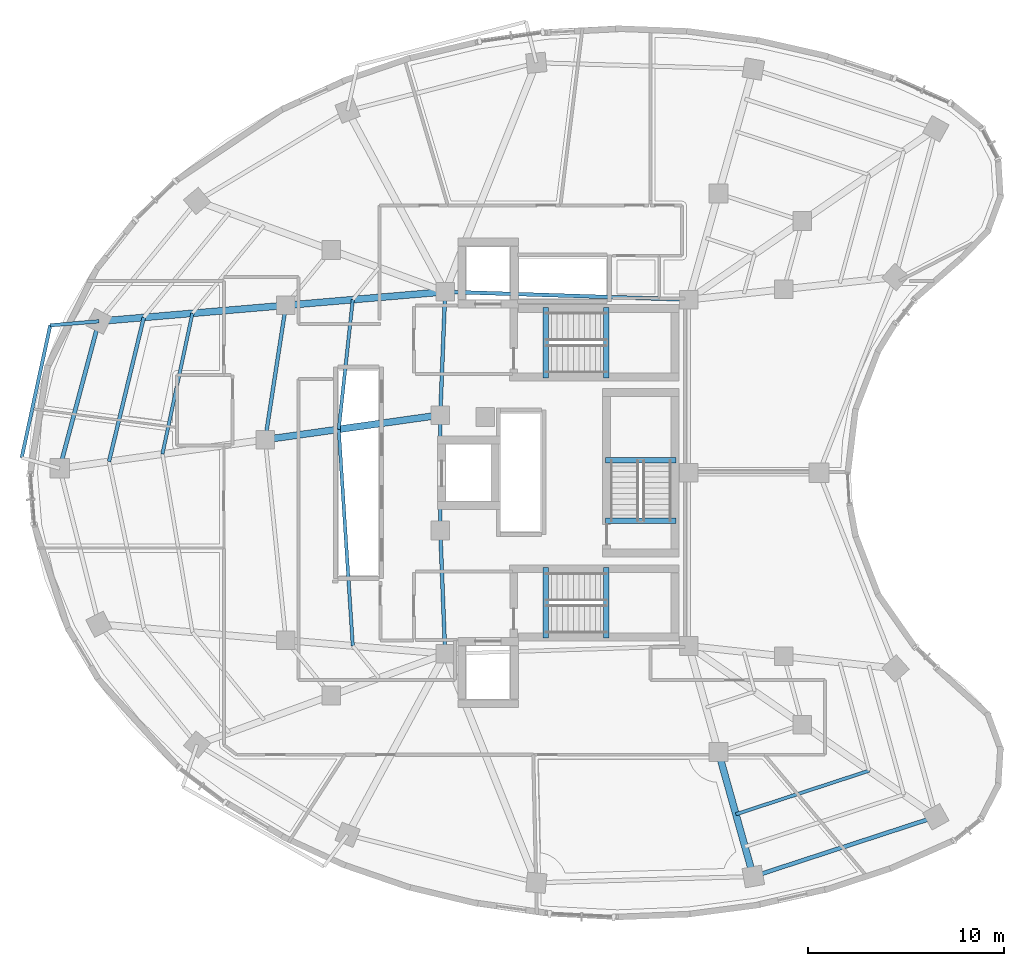
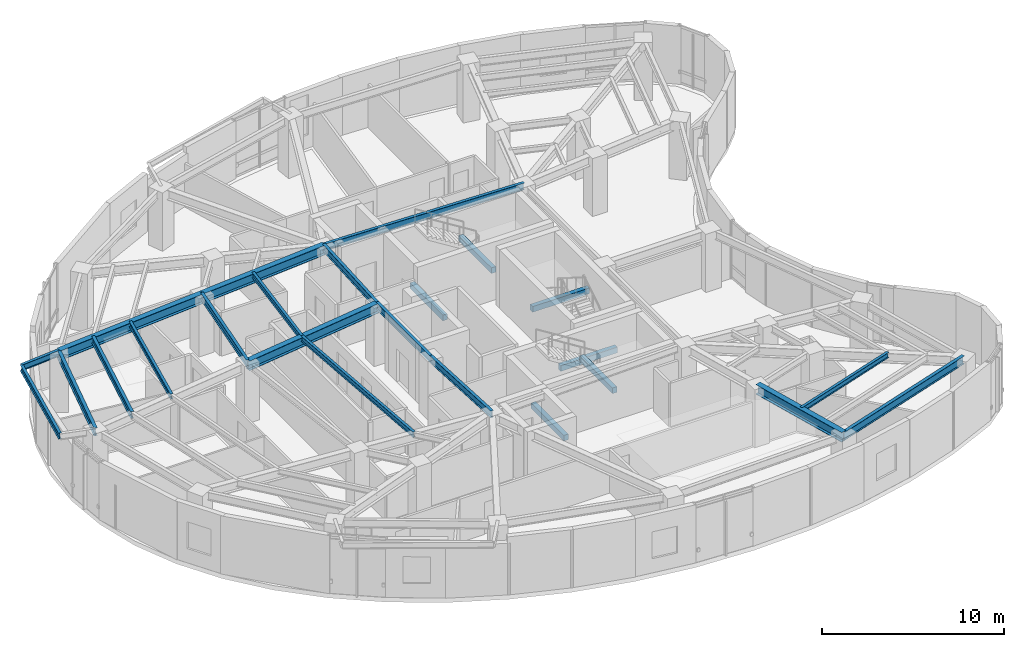
# One storey, part 3 of 15: 24 beams.
"""IFC4 building model written with IfcOpenShell, lengths in metres."""

from ifc_helpers import new_model, si_unit, direction, frame, origin, origin_2d, place, context, subcontext, project, spatial, rectangle, i_section, extrude, material, material_profile, profile_set, type_object, element, save


model = new_model("IFC4")

# Units and contexts
model_context = context("Model", 3, precision=1e-05, world=origin(), true_north=direction((0.0, 1.0)))
body_context = subcontext(model_context, "Body", "Model", "MODEL_VIEW")
ifc_project = project(units=[si_unit("LENGTHUNIT", "METRE"), si_unit("AREAUNIT", "SQUARE_METRE"), si_unit("VOLUMEUNIT", "CUBIC_METRE"), si_unit("PLANEANGLEUNIT", "RADIAN"), si_unit("MASSUNIT", "GRAM", prefix="KILO")], contexts=[model_context])

# Site, building, storey
site_placement = place(None, origin())
site = spatial("IfcSite", under=ifc_project, at=site_placement, CompositionType="ELEMENT")
building_placement = place(site_placement, origin())
building = spatial("IfcBuilding", under=site, at=building_placement, Name="Korentha Bioscience Tower", CompositionType="ELEMENT")
storey_placement = place(building_placement, frame((0.0, 0.0, 218.39990234375)))
storey = spatial("IfcBuildingStorey", under=building, at=storey_placement, Name="L50", CompositionType="ELEMENT", Elevation=218.39990234375)

# Beams
ifc_material_1 = material(Name="Concrete C50", Category="concrete")
ifc_material_profile_1 = material_profile(ifc_material_1, rectangle(XDim=0.280029296875, YDim=0.3798828125, at=origin_2d()), Name="Concrete C50")
ifc_profile_set_1 = profile_set([ifc_material_profile_1], Name="Concrete C50 (ST-HB380)")
beam_type_1 = type_object("IfcBeamType", Name="Concrete Stair Header Beam RC 280x380", PredefinedType="BEAM", material=ifc_profile_set_1)
for number, where, z_axis, x_axis, name in (
    (1, (30.25, 31.85009765625, -0.18994140625), (0.0, 1.0, 0.0), (-1.0, 0.0, 0.0), "L50 ST-1 Concrete Stair Header Beam"),
    (2, (33.330078125, 31.85009765625, 1.91015625), (0.0, 1.0, 0.0), (-1.0, 0.0, 0.0), "L50 ST-1 Half-Landing Header Beam 1"),
    (3, (30.25, 18.550048828125, -0.18994140625), (0.0, 1.0, 0.0), (-1.0, 0.0, 0.0), "L50 ST-2 Concrete Stair Header Beam"),
    (4, (33.330078125, 18.550048828125, 1.91015625), (0.0, 1.0, 0.0), (-1.0, 0.0, 0.0), "L50 ST-2 Half-Landing Header Beam 1"),
    (5, (36.89990234375, 24.550048828125, -0.18994140625), (-1.0, 0.0, 0.0), (0.0, -1.0, 0.0), "L50 ST-3 Concrete Stair Header Beam"),
    (6, (36.89990234375, 27.6298828125, 1.91015625), (-1.0, 0.0, 0.0), (0.0, -1.0, 0.0), "L50 ST-3 Half-Landing Header Beam 1"),
):
    element("IfcBeam", number, at=place(storey_placement, frame(where, z_axis=z_axis, x_axis=x_axis)), inside=storey, type_object=beam_type_1, Name=name, PredefinedType="BEAM", context=body_context, shape_type="SweptSolid", body=[
        extrude(rectangle(XDim=0.280029296875, YDim=0.3798828125, at=origin_2d()), origin(), (0.0, 0.0, 1.0), 3.599853515625),
    ])
ifc_material_2 = material(Name="Steel S355", Category="steel")
ifc_material_profile_2 = material_profile(ifc_material_2, i_section(OverallWidth=0.18994140625, OverallDepth=0.45703125, WebThickness=0.009033203125, FlangeThickness=0.014404296875, at=origin_2d()), Name="Steel S355")
ifc_profile_set_2 = profile_set([ifc_material_profile_2], Name="Steel S355 (MB-460)")
beam_type_2 = type_object("IfcBeamType", Name="Mid-Ring Tie Girder W460x74", PredefinedType="BEAM", material=ifc_profile_set_2)
beam_1_placement = place(storey_placement, frame((16.96044921875, 35.555908203125, 3.671630859375), z_axis=(-0.152313520838, -0.988332227224, 0.0), x_axis=(0.988332227224, -0.152313520838, 0.0)))
element("IfcBeam", 7, at=beam_1_placement, inside=storey, type_object=beam_type_2, Name="L50 Mid-Ring Tie Girder 06", PredefinedType="BEAM", context=body_context, shape_type="SweptSolid", body=[
    extrude(i_section(OverallWidth=0.18994140625, OverallDepth=0.45703125, WebThickness=0.009033203125, FlangeThickness=0.014404296875, at=origin_2d()), origin(), (0.0, 0.0, 1.0), 6.942138671875),
])
beam_2_placement = place(storey_placement, frame((37.550048828125, 35.85009765625, 3.671630859375), z_axis=(-0.999484526071, 0.032104238723, 0.0), x_axis=(-0.032104238723, -0.999484526071, 0.0)))
element("IfcBeam", 8, at=beam_2_placement, inside=storey, type_object=beam_type_2, Name="L50 Core Ring Tie Girder 01", PredefinedType="BEAM", context=body_context, shape_type="SweptSolid", body=[
    extrude(i_section(OverallWidth=0.18994140625, OverallDepth=0.45703125, WebThickness=0.009033203125, FlangeThickness=0.014404296875, at=origin_2d()), origin(), (0.0, 0.0, 1.0), 12.456298828125),
])
beam_3_placement = place(storey_placement, frame((25.10009765625, 36.25, 3.671630859375), z_axis=(-0.039651025576, -0.999213588864, 0.0), x_axis=(0.999213588864, -0.039651025576, 0.0)))
element("IfcBeam", 9, at=beam_3_placement, inside=storey, type_object=beam_type_2, Name="L50 Core Ring Tie Girder 02", PredefinedType="BEAM", context=body_context, shape_type="SweptSolid", body=[
    extrude(i_section(OverallWidth=0.18994140625, OverallDepth=0.45703125, WebThickness=0.009033203125, FlangeThickness=0.014404296875, at=origin_2d()), origin(), (0.0, 0.0, 1.0), 6.304931640625),
])
beam_4_placement = place(storey_placement, frame((24.85009765625, 29.949951171875, 3.671630859375), z_axis=(0.0, -1.0, 0.0), x_axis=(1.0, 0.0, 0.0)))
element("IfcBeam", 10, at=beam_4_placement, inside=storey, type_object=beam_type_2, Name="L50 Core Ring Tie Girder 03", PredefinedType="BEAM", context=body_context, shape_type="SweptSolid", body=[
    extrude(i_section(OverallWidth=0.18994140625, OverallDepth=0.45703125, WebThickness=0.009033203125, FlangeThickness=0.014404296875, at=origin_2d()), origin(), (0.0, 0.0, 1.0), 5.89990234375),
])
beam_5_placement = place(storey_placement, frame((24.85009765625, 24.050048828125, 3.671630859375), z_axis=(0.039651025576, -0.999213588864, 0.0), x_axis=(0.999213588864, 0.039651025576, 0.0)))
element("IfcBeam", 11, at=beam_5_placement, inside=storey, type_object=beam_type_2, Name="L50 Core Ring Tie Girder 04", PredefinedType="BEAM", context=body_context, shape_type="SweptSolid", body=[
    extrude(i_section(OverallWidth=0.18994140625, OverallDepth=0.45703125, WebThickness=0.009033203125, FlangeThickness=0.014404296875, at=origin_2d()), origin(), (0.0, 0.0, 1.0), 6.304931640625),
])
ifc_material_profile_3 = material_profile(ifc_material_2, i_section(OverallWidth=0.208984375, OverallDepth=0.532958984375, WebThickness=0.01025390625, FlangeThickness=0.015625, at=origin_2d()), Name="Steel S355")
ifc_profile_set_3 = profile_set([ifc_material_profile_3], Name="Steel S355 (SB-530)")
beam_type_3 = type_object("IfcBeamType", Name="Perimeter Ring Spandrel Girder W530x92", PredefinedType="SPANDREL", material=ifc_profile_set_3)
beam_6_placement = place(storey_placement, frame((7.4052734375, 34.741455078125, 3.633544921875), z_axis=(-0.257674365533, -0.966231815532, 0.0), x_axis=(0.966231815532, -0.257674365533, 0.0)))
element("IfcBeam", 12, at=beam_6_placement, inside=storey, type_object=beam_type_3, Name="L50 Perimeter Spandrel Girder 06", PredefinedType="SPANDREL", context=body_context, shape_type="SweptSolid", body=[
    extrude(i_section(OverallWidth=0.208984375, OverallDepth=0.532958984375, WebThickness=0.01025390625, FlangeThickness=0.015625, at=origin_2d()), origin(), (0.0, 0.0, 1.0), 7.782470703125),
])
beam_7_placement = place(storey_placement, frame((40.846923828125, 6.367919921875, 3.633544921875), z_axis=(0.950449256032, 0.310879738338, 0.0), x_axis=(-0.310879738338, 0.950449256032, 0.0)))
element("IfcBeam", 13, at=beam_7_placement, inside=storey, type_object=beam_type_3, Name="L50 Perimeter Spandrel Girder 12", PredefinedType="SPANDREL", context=body_context, shape_type="SweptSolid", body=[
    extrude(i_section(OverallWidth=0.208984375, OverallDepth=0.532958984375, WebThickness=0.01025390625, FlangeThickness=0.015625, at=origin_2d()), origin(), (0.0, 0.0, 1.0), 9.81494140625),
])
ifc_material_profile_4 = material_profile(ifc_material_2, i_section(OverallWidth=0.18994140625, OverallDepth=0.45703125, WebThickness=0.009033203125, FlangeThickness=0.014404296875, at=origin_2d()), Name="Steel S355")
ifc_profile_set_4 = profile_set([ifc_material_profile_4], Name="Steel S355 (RB-460)")
beam_type_4 = type_object("IfcBeamType", Name="Radial Laboratory Beam W460x74", PredefinedType="BEAM", material=ifc_profile_set_4)
beam_8_placement = place(storey_placement, frame((9.698486328125, 34.93701171875, 3.671630859375), z_axis=(-0.234745571737, -0.972056848415, 0.0), x_axis=(0.972056848415, -0.234745571737, 0.0)))
element("IfcBeam", 14, at=beam_8_placement, inside=storey, type_object=beam_type_4, Name="L50 Secondary Floor Beam JSTO-06", PredefinedType="BEAM", context=body_context, shape_type="SweptSolid", body=[
    extrude(i_section(OverallWidth=0.18994140625, OverallDepth=0.45703125, WebThickness=0.009033203125, FlangeThickness=0.014404296875, at=origin_2d()), origin(), (0.0, 0.0, 1.0), 7.573486328125),
])
ifc_material_profile_5 = material_profile(ifc_material_2, i_section(OverallWidth=0.35009765625, OverallDepth=0.64990234375, WebThickness=0.01611328125, FlangeThickness=0.02490234375, at=origin_2d()), Name="Steel S355")
ifc_profile_set_5 = profile_set([ifc_material_profile_5], Name="Steel S355 (RB-650)")
beam_type_5 = type_object("IfcBeamType", Name="Radial Laboratory Girder CVS 650x208", PredefinedType="BEAM", material=ifc_profile_set_5)
beam_9_placement = place(storey_placement, frame((25.10009765625, 36.25, 3.5751953125), z_axis=(-0.996383970884, -0.084964595957, 0.0), x_axis=(0.084964595957, -0.996383970884, 0.0)))
element("IfcBeam", 15, at=beam_9_placement, inside=storey, type_object=beam_type_5, Name="L50 Inner Radial Girder 06", PredefinedType="BEAM", context=body_context, shape_type="SweptSolid", body=[
    extrude(i_section(OverallWidth=0.35009765625, OverallDepth=0.64990234375, WebThickness=0.01611328125, FlangeThickness=0.02490234375, at=origin_2d()), origin(), (0.0, 0.0, 1.0), 8.169189453125),
])
beam_10_placement = place(storey_placement, frame((16.96044921875, 35.555908203125, 3.5751953125), z_axis=(-0.996387014591, -0.084928894698, 0.0), x_axis=(0.084928894698, -0.996387014591, 0.0)))
element("IfcBeam", 16, at=beam_10_placement, inside=storey, type_object=beam_type_5, Name="L50 Outer Radial Girder 06", PredefinedType="BEAM", context=body_context, shape_type="SweptSolid", body=[
    extrude(i_section(OverallWidth=0.35009765625, OverallDepth=0.64990234375, WebThickness=0.01611328125, FlangeThickness=0.02490234375, at=origin_2d()), origin(), (0.0, 0.0, 1.0), 9.58984375),
])
beam_11_placement = place(storey_placement, frame((24.85009765625, 29.949951171875, 3.5751953125), z_axis=(-0.990303045163, -0.138924003471, 0.0), x_axis=(0.138924003471, -0.990303045163, 0.0)))
element("IfcBeam", 17, at=beam_11_placement, inside=storey, type_object=beam_type_5, Name="L50 Inner Radial Girder 07", PredefinedType="BEAM", context=body_context, shape_type="SweptSolid", body=[
    extrude(i_section(OverallWidth=0.35009765625, OverallDepth=0.64990234375, WebThickness=0.01611328125, FlangeThickness=0.02490234375, at=origin_2d()), origin(), (0.0, 0.0, 1.0), 9.03466796875),
])
beam_12_placement = place(storey_placement, frame((39.066650390625, 12.730224609375, 3.5751953125), z_axis=(0.269465439817, -0.963010060562, 0.0), x_axis=(0.963010060562, 0.269465439817, 0.0)))
element("IfcBeam", 18, at=beam_12_placement, inside=storey, type_object=beam_type_5, Name="L50 Outer Radial Girder 12", PredefinedType="BEAM", context=body_context, shape_type="SweptSolid", body=[
    extrude(i_section(OverallWidth=0.35009765625, OverallDepth=0.64990234375, WebThickness=0.01611328125, FlangeThickness=0.02490234375, at=origin_2d()), origin(), (0.0, 0.0, 1.0), 6.606689453125),
])
ifc_material_profile_6 = material_profile(ifc_material_2, i_section(OverallWidth=0.1708984375, OverallDepth=0.35498046875, WebThickness=0.007080078125, FlangeThickness=0.01171875, at=origin_2d()), Name="Steel S355")
ifc_profile_set_6 = profile_set([ifc_material_profile_6], Name="Steel S355 (JB-360)")
beam_type_6 = type_object("IfcBeamType", Name="Secondary Laboratory Joist W360x51", PredefinedType="JOIST", material=ifc_profile_set_6)
beam_13_placement = place(storey_placement, frame((12.182861328125, 35.148681640625, 3.72265625), z_axis=(-0.208286097384, -0.978067943262, 0.0), x_axis=(0.978067943262, -0.208286097384, 0.0)))
element("IfcBeam", 19, at=beam_13_placement, inside=storey, type_object=beam_type_6, Name="L50 Secondary Floor Beam JST-06", PredefinedType="JOIST", context=body_context, shape_type="SweptSolid", body=[
    extrude(i_section(OverallWidth=0.1708984375, OverallDepth=0.35498046875, WebThickness=0.007080078125, FlangeThickness=0.01171875, at=origin_2d()), origin(), (0.0, 0.0, 1.0), 7.3515625),
])
beam_14_placement = place(storey_placement, frame((20.37890625, 35.847412109375, 3.72265625), z_axis=(-0.107777397045, -0.99417505133, 0.0), x_axis=(0.99417505133, -0.107777397045, 0.0)))
element("IfcBeam", 20, at=beam_14_placement, inside=storey, type_object=beam_type_6, Name="L50 Inner Bay Joist 06", PredefinedType="JOIST", context=body_context, shape_type="SweptSolid", body=[
    extrude(i_section(OverallWidth=0.1708984375, OverallDepth=0.35498046875, WebThickness=0.007080078125, FlangeThickness=0.01171875, at=origin_2d()), origin(), (0.0, 0.0, 1.0), 6.664306640625),
])
beam_15_placement = place(storey_placement, frame((19.66064453125, 29.221923828125, 3.72265625), z_axis=(0.064751345522, -0.997901429628, 0.0), x_axis=(0.997901429628, 0.064751345522, 0.0)))
element("IfcBeam", 21, at=beam_15_placement, inside=storey, type_object=beam_type_6, Name="L50 Inner Bay Joist 07", PredefinedType="JOIST", context=body_context, shape_type="SweptSolid", body=[
    extrude(i_section(OverallWidth=0.1708984375, OverallDepth=0.35498046875, WebThickness=0.007080078125, FlangeThickness=0.01171875, at=origin_2d()), origin(), (0.0, 0.0, 1.0), 11.092529296875),
])
beam_16_placement = place(storey_placement, frame((39.956787109375, 9.54931640625, 3.72265625), z_axis=(0.950453704863, 0.310866136646, 0.0), x_axis=(-0.310866136646, 0.950453704863, 0.0)))
element("IfcBeam", 22, at=beam_16_placement, inside=storey, type_object=beam_type_6, Name="L50 Secondary Floor Beam JST-12", PredefinedType="JOIST", context=body_context, shape_type="SweptSolid", body=[
    extrude(i_section(OverallWidth=0.1708984375, OverallDepth=0.35498046875, WebThickness=0.007080078125, FlangeThickness=0.01171875, at=origin_2d()), origin(), (0.0, 0.0, 1.0), 7.164794921875),
])
ifc_material_profile_7 = material_profile(ifc_material_2, i_section(OverallWidth=0.177978515625, OverallDepth=0.406982421875, WebThickness=0.0078125, FlangeThickness=0.0126953125, at=origin_2d()), Name="Steel S355")
ifc_profile_set_7 = profile_set([ifc_material_profile_7], Name="Steel S355 (CB-410)")
beam_type_7 = type_object("IfcBeamType", Name="Sun-Ledge Cantilever Beam W410x60", PredefinedType="BEAM", material=ifc_profile_set_7)
beam_17_placement = place(storey_placement, frame((7.4052734375, 34.741455078125, 3.698486328125), z_axis=(-0.996527515285, -0.083264105597, 0.0), x_axis=(0.083264105597, -0.996527515285, 0.0)))
element("IfcBeam", 23, at=beam_17_placement, inside=storey, type_object=beam_type_7, Name="L50 Balcony Cantilever Bracket A-L51-02", PredefinedType="BEAM", context=body_context, shape_type="SweptSolid", body=[
    extrude(i_section(OverallWidth=0.177978515625, OverallDepth=0.406982421875, WebThickness=0.0078125, FlangeThickness=0.0126953125, at=origin_2d()), origin(), (0.0, 0.0, 1.0), 2.4951171875),
])
beam_18_placement = place(storey_placement, frame((4.918701171875, 34.53369140625, 3.698486328125), z_axis=(-0.210907290935, -0.977506068846, 0.0), x_axis=(0.977506068846, -0.210907290935, 0.0)))
element("IfcBeam", 24, at=beam_18_placement, inside=storey, type_object=beam_type_7, Name="L50 Balcony Edge Trimmer Beam L51-02", PredefinedType="BEAM", context=body_context, shape_type="SweptSolid", body=[
    extrude(i_section(OverallWidth=0.177978515625, OverallDepth=0.406982421875, WebThickness=0.0078125, FlangeThickness=0.0126953125, at=origin_2d()), origin(), (0.0, 0.0, 1.0), 6.918701171875),
])

save(model, "model.ifc")
